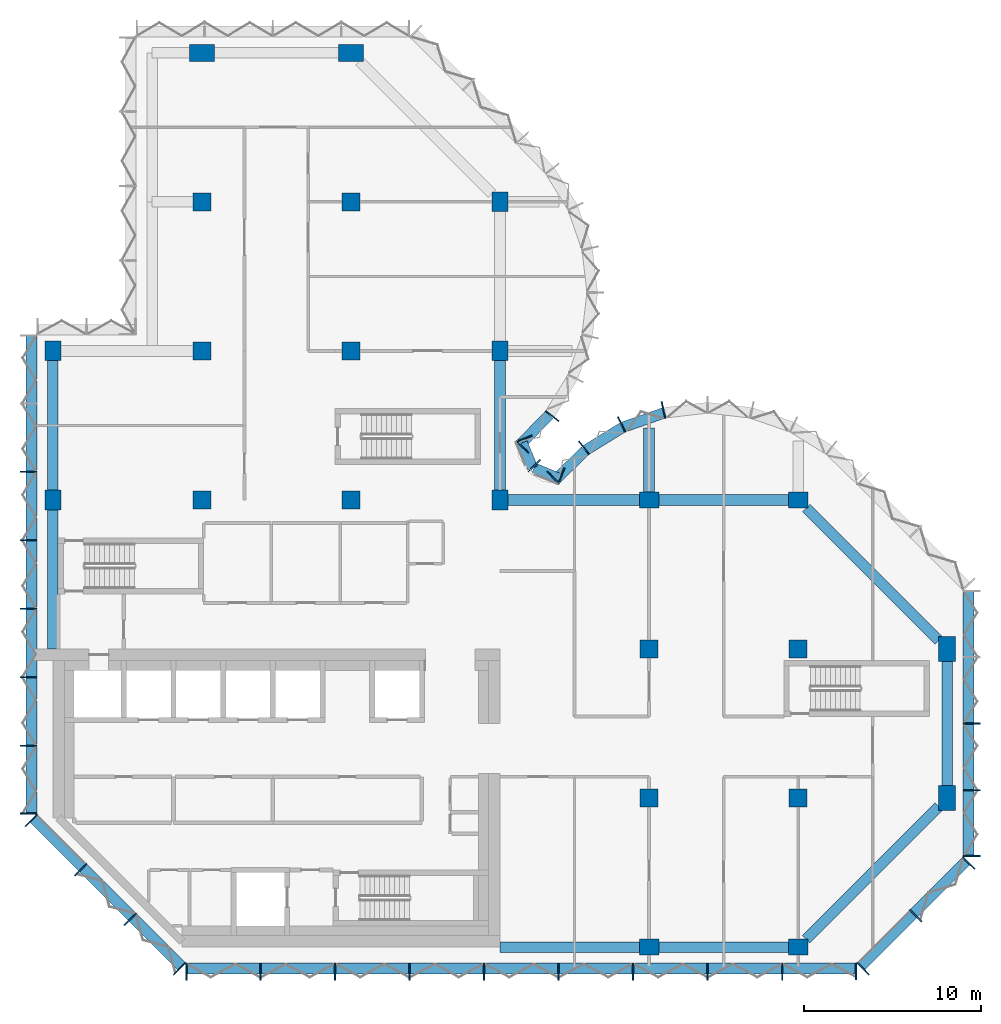
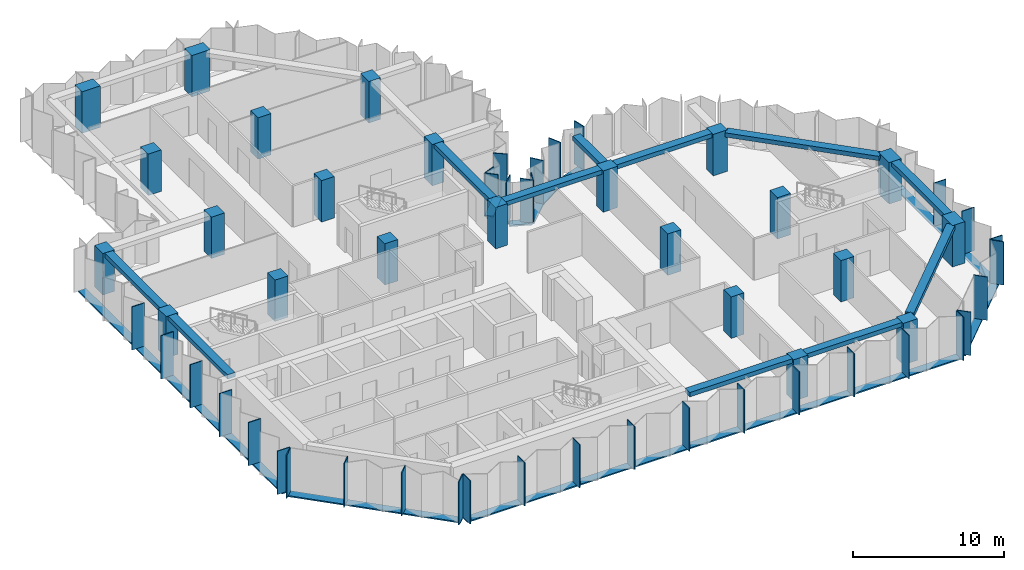
# One storey, part 1 of 10: 46 members, 23 columns, 11 beams, 8 elements without a shape of their own.
"""IFC4 building model written with IfcOpenShell, lengths in metres."""

from ifc_helpers import new_model, si_unit, direction, frame, origin, origin_2d, place, context, subcontext, project, spatial, rectangle, extrude, material, material_profile, profile_set, type_object, element, aggregate, save


model = new_model("IFC4")

# Units and contexts
model_context = context("Model", 3, precision=1e-05, world=origin(), true_north=direction((0.0, 1.0)))
body_context = subcontext(model_context, "Body", "Model", "MODEL_VIEW")
ifc_project = project(units=[si_unit("LENGTHUNIT", "METRE"), si_unit("AREAUNIT", "SQUARE_METRE"), si_unit("VOLUMEUNIT", "CUBIC_METRE"), si_unit("PLANEANGLEUNIT", "RADIAN"), si_unit("MASSUNIT", "GRAM", prefix="KILO")], contexts=[model_context])

# Site, building, storey
site_placement = place(None, origin())
site = spatial("IfcSite", under=ifc_project, at=site_placement, CompositionType="ELEMENT")
building_placement = place(site_placement, origin())
building = spatial("IfcBuilding", under=site, at=building_placement, Name="Brevane Broadcast Tower", CompositionType="ELEMENT")
storey_placement = place(building_placement, frame((0.0, 0.0, 195.60009765625)))
storey = spatial("IfcBuildingStorey", under=building, at=storey_placement, Name="L49", CompositionType="ELEMENT", Elevation=195.60009765625)

# Columns
ifc_material_1 = material(Name="Concrete C60/75", Category="concrete")
ifc_material_profile_1 = material_profile(ifc_material_1, rectangle(XDim=0.89990234375, YDim=1.10009765625, at=origin_2d()), Name="RC 900x1100")
ifc_profile_set_1 = profile_set([ifc_material_profile_1], Name="Concrete C60/75")
column_type_1 = type_object("IfcColumnType", Name="RC COLUMN EDGE 900x1100 C60/75", PredefinedType="COLUMN", material=ifc_profile_set_1)
for number, where, z_axis, x_axis, name in (
    (1, (0.0, 25.199951171875, 0.0), (0.0, 0.0, 1.0), (1.0, 0.0, 0.0), "CE11 1/D"),
    (2, (0.0, 33.60009765625, 0.0), (0.0, 0.0, 1.0), (1.0, 0.0, 0.0), "CE11 1/E"),
    (3, (25.199951171875, 25.199951171875, 0.0), (0.0, 0.0, 1.0), (1.0, 0.0, 0.0), "CE11 4/D"),
    (4, (25.199951171875, 33.60009765625, 0.0), (0.0, 0.0, 1.0), (1.0, 0.0, 0.0), "CE11 4/E"),
    (5, (25.199951171875, 42.0, 0.0), (0.0, 0.0, 1.0), (1.0, 0.0, 0.0), "CE11 4/F"),
    (6, (33.60009765625, 0.0, 0.0), (0.0, 0.0, 1.0), (0.0, 1.0, 0.0), "CE11 5/A"),
    (7, (33.60009765625, 25.199951171875, 0.0), (0.0, 0.0, 1.0), (0.0, 1.0, 0.0), "CE11 5/D"),
    (8, (42.0, 0.0, 0.0), (0.0, 0.0, 1.0), (0.0, 1.0, 0.0), "CE11 6/A"),
    (9, (42.0, 25.199951171875, 0.0), (0.0, 0.0, 1.0), (0.0, 1.0, 0.0), "CE11 6/D"),
):
    element("IfcColumn", number, at=place(storey_placement, frame(where, z_axis=z_axis, x_axis=x_axis)), inside=storey, type_object=column_type_1, Name=name, PredefinedType="COLUMN", context=body_context, shape_type="SweptSolid", body=[
        extrude(rectangle(XDim=0.89990234375, YDim=1.10009765625, at=origin_2d()), origin(), (0.0, 0.0, 1.0), 3.349853515625),
    ])
ifc_material_profile_2 = material_profile(ifc_material_1, rectangle(XDim=1.0, YDim=1.0, at=origin_2d()), Name="RC 1000x1000")
ifc_profile_set_2 = profile_set([ifc_material_profile_2], Name="Concrete C60/75")
column_type_2 = type_object("IfcColumnType", Name="RC COLUMN INTERIOR 1000x1000 C60/75", PredefinedType="COLUMN", material=ifc_profile_set_2)
for number, where, z_axis, x_axis, name in (
    (10, (8.39990234375, 25.199951171875, 0.0), (0.0, 0.0, 1.0), (1.0, 0.0, 0.0), "CI12 2/D"),
    (11, (8.39990234375, 33.60009765625, 0.0), (0.0, 0.0, 1.0), (1.0, 0.0, 0.0), "CI12 2/E"),
    (12, (8.39990234375, 42.0, 0.0), (0.0, 0.0, 1.0), (1.0, 0.0, 0.0), "CI12 2/F"),
    (13, (16.800048828125, 25.199951171875, 0.0), (0.0, 0.0, 1.0), (1.0, 0.0, 0.0), "CI12 3/D"),
    (14, (16.800048828125, 33.60009765625, 0.0), (0.0, 0.0, 1.0), (1.0, 0.0, 0.0), "CI12 3/E"),
    (15, (16.800048828125, 42.0, 0.0), (0.0, 0.0, 1.0), (1.0, 0.0, 0.0), "CI12 3/F"),
    (16, (33.60009765625, 8.39990234375, 0.0), (0.0, 0.0, 1.0), (1.0, 0.0, 0.0), "CI12 5/B"),
    (17, (33.60009765625, 16.800048828125, 0.0), (0.0, 0.0, 1.0), (1.0, 0.0, 0.0), "CI12 5/C"),
    (18, (42.0, 8.39990234375, 0.0), (0.0, 0.0, 1.0), (1.0, 0.0, 0.0), "CI12 6/B"),
    (19, (42.0, 16.800048828125, 0.0), (0.0, 0.0, 1.0), (1.0, 0.0, 0.0), "CI12 6/C"),
):
    element("IfcColumn", number, at=place(storey_placement, frame(where, z_axis=z_axis, x_axis=x_axis)), inside=storey, type_object=column_type_2, Name=name, PredefinedType="COLUMN", context=body_context, shape_type="SweptSolid", body=[
        extrude(rectangle(XDim=1.0, YDim=1.0, at=origin_2d()), origin(), (0.0, 0.0, 1.0), 3.349853515625),
    ])
ifc_material_profile_3 = material_profile(ifc_material_1, rectangle(XDim=0.949951171875, YDim=1.39990234375, at=origin_2d()), Name="RC 950x1400")
ifc_profile_set_3 = profile_set([ifc_material_profile_3], Name="Concrete C60/75")
column_type_3 = type_object("IfcColumnType", Name="RC COLUMN WING-END 950x1400 C60/75", PredefinedType="COLUMN", material=ifc_profile_set_3)
for number, where, z_axis, x_axis, name in (
    (20, (8.39990234375, 50.39990234375, 0.0), (0.0, 0.0, 1.0), (0.0, 1.0, 0.0), "CW13 2/G"),
    (21, (16.800048828125, 50.39990234375, 0.0), (0.0, 0.0, 1.0), (0.0, 1.0, 0.0), "CW13 3/G"),
    (22, (50.39990234375, 8.39990234375, 0.0), (0.0, 0.0, 1.0), (1.0, 0.0, 0.0), "CW13 7/B"),
    (23, (50.39990234375, 16.800048828125, 0.0), (0.0, 0.0, 1.0), (1.0, 0.0, 0.0), "CW13 7/C"),
):
    element("IfcColumn", number, at=place(storey_placement, frame(where, z_axis=z_axis, x_axis=x_axis)), inside=storey, type_object=column_type_3, Name=name, PredefinedType="COLUMN", context=body_context, shape_type="SweptSolid", body=[
        extrude(rectangle(XDim=0.949951171875, YDim=1.39990234375, at=origin_2d()), origin(), (0.0, 0.0, 1.0), 3.349853515625),
    ])

# Curtain wall, members
ifc_material_2 = material(Name="Aluminium 6063-T6 bronze anodised", Category="aluminium")
curtain_wall_type = type_object("IfcCurtainWallType", Name="CW-1 curtain wall", PredefinedType="NOTDEFINED", material=ifc_material_2)
curtain_wall_1_placement = place(storey_placement, origin())
curtain_wall_1 = element("IfcCurtainWall", 24, at=curtain_wall_1_placement, inside=storey, type_object=curtain_wall_type, Name="CW-1 typical tilted unit L49 south face", PredefinedType="NOTDEFINED")
ifc_material_profile_4 = material_profile(ifc_material_2, rectangle(XDim=0.949951171875, YDim=0.070068359375, at=origin_2d()), Name="RECT 70x950")
ifc_profile_set_4 = profile_set([ifc_material_profile_4], Name="Aluminium 6063-T6 bronze anodised")
member_type_1 = type_object("IfcMemberType", Name="CW-1 mullion 70x950", PredefinedType="MULLION", material=ifc_profile_set_4)
member_1_placement = place(storey_placement, frame((7.534912109375, -1.375, -0.150146484375), z_axis=(0.0, 0.0, 1.0), x_axis=(0.0, 1.0, 0.0)))
member_1 = element("IfcMember", 25, at=member_1_placement, type_object=member_type_1, Name="CW-1 mullion", PredefinedType="MULLION", context=body_context, shape_type="SweptSolid", body=[
    extrude(rectangle(XDim=0.949951171875, YDim=0.070068359375, at=origin_2d()), origin(), (0.0, 0.0, 1.0), 3.5),
])
member_2_placement = place(storey_placement, frame((11.699951171875, -1.375, -0.150146484375), z_axis=(0.0, 0.0, 1.0), x_axis=(0.0, 1.0, 0.0)))
member_2 = element("IfcMember", 26, at=member_2_placement, type_object=member_type_1, Name="CW-1 mullion", PredefinedType="MULLION", context=body_context, shape_type="SweptSolid", body=[
    extrude(rectangle(XDim=0.949951171875, YDim=0.070068359375, at=origin_2d()), origin(), (0.0, 0.0, 1.0), 3.5),
])
member_3_placement = place(storey_placement, frame((15.89990234375, -1.375, -0.150146484375), z_axis=(0.0, 0.0, 1.0), x_axis=(0.0, 1.0, 0.0)))
member_3 = element("IfcMember", 27, at=member_3_placement, type_object=member_type_1, Name="CW-1 mullion", PredefinedType="MULLION", context=body_context, shape_type="SweptSolid", body=[
    extrude(rectangle(XDim=0.949951171875, YDim=0.070068359375, at=origin_2d()), origin(), (0.0, 0.0, 1.0), 3.5),
])
member_4_placement = place(storey_placement, frame((20.10009765625, -1.375, -0.150146484375), z_axis=(0.0, 0.0, 1.0), x_axis=(0.0, 1.0, 0.0)))
member_4 = element("IfcMember", 28, at=member_4_placement, type_object=member_type_1, Name="CW-1 mullion", PredefinedType="MULLION", context=body_context, shape_type="SweptSolid", body=[
    extrude(rectangle(XDim=0.949951171875, YDim=0.070068359375, at=origin_2d()), origin(), (0.0, 0.0, 1.0), 3.5),
])
member_5_placement = place(storey_placement, frame((24.300048828125, -1.375, -0.150146484375), z_axis=(0.0, 0.0, 1.0), x_axis=(0.0, 1.0, 0.0)))
member_5 = element("IfcMember", 29, at=member_5_placement, type_object=member_type_1, Name="CW-1 mullion", PredefinedType="MULLION", context=body_context, shape_type="SweptSolid", body=[
    extrude(rectangle(XDim=0.949951171875, YDim=0.070068359375, at=origin_2d()), origin(), (0.0, 0.0, 1.0), 3.5),
])
member_6_placement = place(storey_placement, frame((28.5, -1.375, -0.150146484375), z_axis=(0.0, 0.0, 1.0), x_axis=(0.0, 1.0, 0.0)))
member_6 = element("IfcMember", 30, at=member_6_placement, type_object=member_type_1, Name="CW-1 mullion", PredefinedType="MULLION", context=body_context, shape_type="SweptSolid", body=[
    extrude(rectangle(XDim=0.949951171875, YDim=0.070068359375, at=origin_2d()), origin(), (0.0, 0.0, 1.0), 3.5),
])
member_7_placement = place(storey_placement, frame((32.699951171875, -1.375, -0.150146484375), z_axis=(0.0, 0.0, 1.0), x_axis=(0.0, 1.0, 0.0)))
member_7 = element("IfcMember", 31, at=member_7_placement, type_object=member_type_1, Name="CW-1 mullion", PredefinedType="MULLION", context=body_context, shape_type="SweptSolid", body=[
    extrude(rectangle(XDim=0.949951171875, YDim=0.070068359375, at=origin_2d()), origin(), (0.0, 0.0, 1.0), 3.5),
])
member_8_placement = place(storey_placement, frame((36.89990234375, -1.375, -0.150146484375), z_axis=(0.0, 0.0, 1.0), x_axis=(0.0, 1.0, 0.0)))
member_8 = element("IfcMember", 32, at=member_8_placement, type_object=member_type_1, Name="CW-1 mullion", PredefinedType="MULLION", context=body_context, shape_type="SweptSolid", body=[
    extrude(rectangle(XDim=0.949951171875, YDim=0.070068359375, at=origin_2d()), origin(), (0.0, 0.0, 1.0), 3.5),
])
member_9_placement = place(storey_placement, frame((41.10009765625, -1.375, -0.150146484375), z_axis=(0.0, 0.0, 1.0), x_axis=(0.0, 1.0, 0.0)))
member_9 = element("IfcMember", 33, at=member_9_placement, type_object=member_type_1, Name="CW-1 mullion", PredefinedType="MULLION", context=body_context, shape_type="SweptSolid", body=[
    extrude(rectangle(XDim=0.949951171875, YDim=0.070068359375, at=origin_2d()), origin(), (0.0, 0.0, 1.0), 3.5),
])
member_10_placement = place(storey_placement, frame((45.264892578125, -1.375, -0.150146484375), z_axis=(0.0, 0.0, 1.0), x_axis=(0.0, 1.0, 0.0)))
member_10 = element("IfcMember", 34, at=member_10_placement, type_object=member_type_1, Name="CW-1 mullion", PredefinedType="MULLION", context=body_context, shape_type="SweptSolid", body=[
    extrude(rectangle(XDim=0.949951171875, YDim=0.070068359375, at=origin_2d()), origin(), (0.0, 0.0, 1.0), 3.5),
])

curtain_wall_2_placement = place(storey_placement, origin())
curtain_wall_2 = element("IfcCurtainWall", 35, at=curtain_wall_2_placement, inside=storey, type_object=curtain_wall_type, Name="CW-1 typical tilted unit L49 south-east chamfer", PredefinedType="NOTDEFINED")
member_11_placement = place(storey_placement, frame((45.66064453125, -1.211181640625, -0.150146484375), z_axis=(0.0, 0.0, 1.0), x_axis=(-0.707106781187, 0.707106781187, 0.0)))
member_11 = element("IfcMember", 36, at=member_11_placement, type_object=member_type_1, Name="CW-1 mullion", PredefinedType="MULLION", context=body_context, shape_type="SweptSolid", body=[
    extrude(rectangle(XDim=0.949951171875, YDim=0.070068359375, at=origin_2d()), origin(), (0.0, 0.0, 1.0), 3.5),
])
member_12_placement = place(storey_placement, frame((48.635986328125, 1.76416015625, -0.150146484375), z_axis=(0.0, 0.0, 1.0), x_axis=(-0.707106781187, 0.707106781187, 0.0)))
member_12 = element("IfcMember", 37, at=member_12_placement, type_object=member_type_1, Name="CW-1 mullion", PredefinedType="MULLION", context=body_context, shape_type="SweptSolid", body=[
    extrude(rectangle(XDim=0.949951171875, YDim=0.070068359375, at=origin_2d()), origin(), (0.0, 0.0, 1.0), 3.5),
])
member_13_placement = place(storey_placement, frame((51.611083984375, 4.7392578125, -0.150146484375), z_axis=(0.0, 0.0, 1.0), x_axis=(-0.707106781187, 0.707106781187, 0.0)))
member_13 = element("IfcMember", 38, at=member_13_placement, type_object=member_type_1, Name="CW-1 mullion", PredefinedType="MULLION", context=body_context, shape_type="SweptSolid", body=[
    extrude(rectangle(XDim=0.949951171875, YDim=0.070068359375, at=origin_2d()), origin(), (0.0, 0.0, 1.0), 3.5),
])

curtain_wall_3_placement = place(storey_placement, origin())
curtain_wall_3 = element("IfcCurtainWall", 39, at=curtain_wall_3_placement, inside=storey, type_object=curtain_wall_type, Name="CW-1 typical tilted unit L49 east end", PredefinedType="NOTDEFINED")
member_14_placement = place(storey_placement, frame((51.77490234375, 5.135009765625, -0.150146484375), z_axis=(0.0, 0.0, 1.0), x_axis=(-1.0, 0.0, 0.0)))
member_14 = element("IfcMember", 40, at=member_14_placement, type_object=member_type_1, Name="CW-1 mullion", PredefinedType="MULLION", context=body_context, shape_type="SweptSolid", body=[
    extrude(rectangle(XDim=0.949951171875, YDim=0.070068359375, at=origin_2d()), origin(), (0.0, 0.0, 1.0), 3.5),
])
member_15_placement = place(storey_placement, frame((51.77490234375, 8.85009765625, -0.150146484375), z_axis=(0.0, 0.0, 1.0), x_axis=(-1.0, 0.0, 0.0)))
member_15 = element("IfcMember", 41, at=member_15_placement, type_object=member_type_1, Name="CW-1 mullion", PredefinedType="MULLION", context=body_context, shape_type="SweptSolid", body=[
    extrude(rectangle(XDim=0.949951171875, YDim=0.070068359375, at=origin_2d()), origin(), (0.0, 0.0, 1.0), 3.5),
])
member_16_placement = place(storey_placement, frame((51.77490234375, 12.60009765625, -0.150146484375), z_axis=(0.0, 0.0, 1.0), x_axis=(-1.0, 0.0, 0.0)))
member_16 = element("IfcMember", 42, at=member_16_placement, type_object=member_type_1, Name="CW-1 mullion", PredefinedType="MULLION", context=body_context, shape_type="SweptSolid", body=[
    extrude(rectangle(XDim=0.949951171875, YDim=0.070068359375, at=origin_2d()), origin(), (0.0, 0.0, 1.0), 3.5),
])

curtain_wall_4_placement = place(storey_placement, origin())
curtain_wall_4 = element("IfcCurtainWall", 43, at=curtain_wall_4_placement, inside=storey, type_object=curtain_wall_type, Name="CW-1 typical tilted unit L49 east bow", PredefinedType="NOTDEFINED")
member_17_placement = place(storey_placement, frame((34.411865234375, 30.28076171875, -0.150146484375), z_axis=(0.0, 0.0, 1.0), x_axis=(0.224806535479, -0.974403418306, 0.0)))
member_17 = element("IfcMember", 44, at=member_17_placement, type_object=member_type_1, Name="CW-1 mullion", PredefinedType="MULLION", context=body_context, shape_type="SweptSolid", body=[
    extrude(rectangle(XDim=0.949951171875, YDim=0.070068359375, at=origin_2d()), origin(), (0.0, 0.0, 1.0), 3.5),
])
member_18_placement = place(storey_placement, frame((32.05322265625, 29.4580078125, -0.150146484375), z_axis=(0.0, 0.0, 1.0), x_axis=(0.429933580394, -0.902860518823, 0.0)))
member_18 = element("IfcMember", 45, at=member_18_placement, type_object=member_type_1, Name="CW-1 mullion", PredefinedType="MULLION", context=body_context, shape_type="SweptSolid", body=[
    extrude(rectangle(XDim=0.949951171875, YDim=0.070068359375, at=origin_2d()), origin(), (0.0, 0.0, 1.0), 3.5),
])
member_19_placement = place(storey_placement, frame((29.927978515625, 28.1455078125, -0.150146484375), z_axis=(0.0, 0.0, 1.0), x_axis=(0.614769698862, -0.788706673841, 0.0)))
member_19 = element("IfcMember", 46, at=member_19_placement, type_object=member_type_1, Name="CW-1 mullion", PredefinedType="MULLION", context=body_context, shape_type="SweptSolid", body=[
    extrude(rectangle(XDim=0.949951171875, YDim=0.070068359375, at=origin_2d()), origin(), (0.0, 0.0, 1.0), 3.5),
])
member_20_placement = place(storey_placement, frame((28.194091796875, 26.465087890625, -0.150146484375), z_axis=(0.0, 0.0, 1.0), x_axis=(0.696812089895, -0.717253728729, 0.0)))
member_20 = element("IfcMember", 47, at=member_20_placement, type_object=member_type_1, Name="CW-1 mullion", PredefinedType="MULLION", context=body_context, shape_type="SweptSolid", body=[
    extrude(rectangle(XDim=0.949951171875, YDim=0.070068359375, at=origin_2d()), origin(), (0.0, 0.0, 1.0), 3.5),
])

curtain_wall_5_placement = place(storey_placement, origin())
curtain_wall_5 = element("IfcCurtainWall", 48, at=curtain_wall_5_placement, inside=storey, type_object=curtain_wall_type, Name="CW-1 typical tilted unit L49 inner corner", PredefinedType="NOTDEFINED")
member_21_placement = place(storey_placement, frame((28.6494140625, 26.55224609375, -0.150146484375), z_axis=(0.0, 0.0, 1.0), x_axis=(-0.382683432365, -0.923879532511, 0.0)))
member_21 = element("IfcMember", 49, at=member_21_placement, type_object=member_type_1, Name="CW-1 mullion", PredefinedType="MULLION", context=body_context, shape_type="SweptSolid", body=[
    extrude(rectangle(XDim=0.949951171875, YDim=0.070068359375, at=origin_2d()), origin(), (0.0, 0.0, 1.0), 3.5),
])
member_22_placement = place(storey_placement, frame((27.138916015625, 27.138916015625, -0.150146484375), z_axis=(0.0, 0.0, 1.0), x_axis=(-0.707106781187, -0.707106781187, 0.0)))
member_22 = element("IfcMember", 50, at=member_22_placement, type_object=member_type_1, Name="CW-1 mullion", PredefinedType="MULLION", context=body_context, shape_type="SweptSolid", body=[
    extrude(rectangle(XDim=0.949951171875, YDim=0.070068359375, at=origin_2d()), origin(), (0.0, 0.0, 1.0), 3.5),
])
member_23_placement = place(storey_placement, frame((26.55224609375, 28.6494140625, -0.150146484375), z_axis=(0.0, 0.0, 1.0), x_axis=(-0.923879532511, -0.382683432365, 0.0)))
member_23 = element("IfcMember", 51, at=member_23_placement, type_object=member_type_1, Name="CW-1 mullion", PredefinedType="MULLION", context=body_context, shape_type="SweptSolid", body=[
    extrude(rectangle(XDim=0.949951171875, YDim=0.070068359375, at=origin_2d()), origin(), (0.0, 0.0, 1.0), 3.5),
])

curtain_wall_6_placement = place(storey_placement, origin())
curtain_wall_6 = element("IfcCurtainWall", 52, at=curtain_wall_6_placement, inside=storey, type_object=curtain_wall_type, Name="CW-1 typical tilted unit L49 north bow", PredefinedType="NOTDEFINED")
member_24_placement = place(storey_placement, frame((26.465087890625, 28.194091796875, -0.150146484375), z_axis=(0.0, 0.0, 1.0), x_axis=(-0.717253728729, 0.696812089895, 0.0)))
member_24 = element("IfcMember", 53, at=member_24_placement, type_object=member_type_1, Name="CW-1 mullion", PredefinedType="MULLION", context=body_context, shape_type="SweptSolid", body=[
    extrude(rectangle(XDim=0.949951171875, YDim=0.070068359375, at=origin_2d()), origin(), (0.0, 0.0, 1.0), 3.5),
])
member_25_placement = place(storey_placement, frame((28.1455078125, 29.927978515625, -0.150146484375), z_axis=(0.0, 0.0, 1.0), x_axis=(-0.788706673841, 0.614769698862, 0.0)))
member_25 = element("IfcMember", 54, at=member_25_placement, type_object=member_type_1, Name="CW-1 mullion", PredefinedType="MULLION", context=body_context, shape_type="SweptSolid", body=[
    extrude(rectangle(XDim=0.949951171875, YDim=0.070068359375, at=origin_2d()), origin(), (0.0, 0.0, 1.0), 3.5),
])

curtain_wall_7_placement = place(storey_placement, origin())
curtain_wall_7 = element("IfcCurtainWall", 55, at=curtain_wall_7_placement, inside=storey, type_object=curtain_wall_type, Name="CW-1 typical tilted unit L49 west face", PredefinedType="NOTDEFINED")
member_26_placement = place(storey_placement, frame((-1.375, 26.78564453125, -0.150146484375), z_axis=(0.0, 0.0, 1.0), x_axis=(1.0, 0.0, 0.0)))
member_26 = element("IfcMember", 56, at=member_26_placement, type_object=member_type_1, Name="CW-1 mullion", PredefinedType="MULLION", context=body_context, shape_type="SweptSolid", body=[
    extrude(rectangle(XDim=0.949951171875, YDim=0.070068359375, at=origin_2d()), origin(), (0.0, 0.0, 1.0), 3.5),
])
member_27_placement = place(storey_placement, frame((-1.375, 22.928466796875, -0.150146484375), z_axis=(0.0, 0.0, 1.0), x_axis=(1.0, 0.0, 0.0)))
member_27 = element("IfcMember", 57, at=member_27_placement, type_object=member_type_1, Name="CW-1 mullion", PredefinedType="MULLION", context=body_context, shape_type="SweptSolid", body=[
    extrude(rectangle(XDim=0.949951171875, YDim=0.070068359375, at=origin_2d()), origin(), (0.0, 0.0, 1.0), 3.5),
])
member_28_placement = place(storey_placement, frame((-1.375, 19.071533203125, -0.150146484375), z_axis=(0.0, 0.0, 1.0), x_axis=(1.0, 0.0, 0.0)))
member_28 = element("IfcMember", 58, at=member_28_placement, type_object=member_type_1, Name="CW-1 mullion", PredefinedType="MULLION", context=body_context, shape_type="SweptSolid", body=[
    extrude(rectangle(XDim=0.949951171875, YDim=0.070068359375, at=origin_2d()), origin(), (0.0, 0.0, 1.0), 3.5),
])
member_29_placement = place(storey_placement, frame((-1.375, 15.21435546875, -0.150146484375), z_axis=(0.0, 0.0, 1.0), x_axis=(1.0, 0.0, 0.0)))
member_29 = element("IfcMember", 59, at=member_29_placement, type_object=member_type_1, Name="CW-1 mullion", PredefinedType="MULLION", context=body_context, shape_type="SweptSolid", body=[
    extrude(rectangle(XDim=0.949951171875, YDim=0.070068359375, at=origin_2d()), origin(), (0.0, 0.0, 1.0), 3.5),
])
member_30_placement = place(storey_placement, frame((-1.375, 11.357177734375, -0.150146484375), z_axis=(0.0, 0.0, 1.0), x_axis=(1.0, 0.0, 0.0)))
member_30 = element("IfcMember", 60, at=member_30_placement, type_object=member_type_1, Name="CW-1 mullion", PredefinedType="MULLION", context=body_context, shape_type="SweptSolid", body=[
    extrude(rectangle(XDim=0.949951171875, YDim=0.070068359375, at=origin_2d()), origin(), (0.0, 0.0, 1.0), 3.5),
])
member_31_placement = place(storey_placement, frame((-1.375, 7.534912109375, -0.150146484375), z_axis=(0.0, 0.0, 1.0), x_axis=(1.0, 0.0, 0.0)))
member_31 = element("IfcMember", 61, at=member_31_placement, type_object=member_type_1, Name="CW-1 mullion", PredefinedType="MULLION", context=body_context, shape_type="SweptSolid", body=[
    extrude(rectangle(XDim=0.949951171875, YDim=0.070068359375, at=origin_2d()), origin(), (0.0, 0.0, 1.0), 3.5),
])

curtain_wall_8_placement = place(storey_placement, origin())
curtain_wall_8 = element("IfcCurtainWall", 62, at=curtain_wall_8_placement, inside=storey, type_object=curtain_wall_type, Name="CW-1 typical tilted unit L49 south-west chamfer", PredefinedType="NOTDEFINED")
member_32_placement = place(storey_placement, frame((-1.211181640625, 7.139404296875, -0.150146484375), z_axis=(0.0, 0.0, 1.0), x_axis=(0.707106781187, 0.707106781187, 0.0)))
member_32 = element("IfcMember", 63, at=member_32_placement, type_object=member_type_1, Name="CW-1 mullion", PredefinedType="MULLION", context=body_context, shape_type="SweptSolid", body=[
    extrude(rectangle(XDim=0.949951171875, YDim=0.070068359375, at=origin_2d()), origin(), (0.0, 0.0, 1.0), 3.5),
])
member_33_placement = place(storey_placement, frame((1.564208984375, 4.364013671875, -0.150146484375), z_axis=(0.0, 0.0, 1.0), x_axis=(0.707106781187, 0.707106781187, 0.0)))
member_33 = element("IfcMember", 64, at=member_33_placement, type_object=member_type_1, Name="CW-1 mullion", PredefinedType="MULLION", context=body_context, shape_type="SweptSolid", body=[
    extrude(rectangle(XDim=0.949951171875, YDim=0.070068359375, at=origin_2d()), origin(), (0.0, 0.0, 1.0), 3.5),
])
member_34_placement = place(storey_placement, frame((4.364013671875, 1.564208984375, -0.150146484375), z_axis=(0.0, 0.0, 1.0), x_axis=(0.707106781187, 0.707106781187, 0.0)))
member_34 = element("IfcMember", 65, at=member_34_placement, type_object=member_type_1, Name="CW-1 mullion", PredefinedType="MULLION", context=body_context, shape_type="SweptSolid", body=[
    extrude(rectangle(XDim=0.949951171875, YDim=0.070068359375, at=origin_2d()), origin(), (0.0, 0.0, 1.0), 3.5),
])
member_35_placement = place(storey_placement, frame((7.139404296875, -1.211181640625, -0.150146484375), z_axis=(0.0, 0.0, 1.0), x_axis=(0.707106781187, 0.707106781187, 0.0)))
member_35 = element("IfcMember", 66, at=member_35_placement, type_object=member_type_1, Name="CW-1 mullion", PredefinedType="MULLION", context=body_context, shape_type="SweptSolid", body=[
    extrude(rectangle(XDim=0.949951171875, YDim=0.070068359375, at=origin_2d()), origin(), (0.0, 0.0, 1.0), 3.5),
])

# Member
ifc_material_profile_5 = material_profile(ifc_material_2, rectangle(XDim=0.60009765625, YDim=0.10009765625, at=origin_2d()), Name="RECT 100x600")
ifc_profile_set_5 = profile_set([ifc_material_profile_5], Name="Aluminium 6063-T6 bronze anodised")
member_type_2 = type_object("IfcMemberType", Name="CW-1 transom 100x600", PredefinedType="USERDEFINED", material=ifc_profile_set_5)
member_36_placement = place(storey_placement, frame((7.5, -1.199951171875, -0.2001953125), z_axis=(1.0, 0.0, 0.0), x_axis=(0.0, 1.0, 0.0)))
member_36 = element("IfcMember", 67, at=member_36_placement, type_object=member_type_2, Name="CW-1 transom", ObjectType="TRANSOM", PredefinedType="USERDEFINED", context=body_context, shape_type="SweptSolid", body=[
    extrude(rectangle(XDim=0.60009765625, YDim=0.10009765625, at=origin_2d()), origin(), (0.0, 0.0, 1.0), 37.800048828125),
])

aggregate(curtain_wall_1, [member_1, member_2, member_3, member_4, member_5, member_6, member_7, member_8, member_9, member_10, member_36])

member_37_placement = place(storey_placement, frame((45.51220703125, -1.112060546875, -0.2001953125), z_axis=(0.707106781187, 0.707106781187, 0.0), x_axis=(-0.707106781187, 0.707106781187, 0.0)))
member_37 = element("IfcMember", 68, at=member_37_placement, type_object=member_type_2, Name="CW-1 transom", ObjectType="TRANSOM", PredefinedType="USERDEFINED", context=body_context, shape_type="SweptSolid", body=[
    extrude(rectangle(XDim=0.60009765625, YDim=0.10009765625, at=origin_2d()), origin(), (0.0, 0.0, 1.0), 8.4853515625),
])

aggregate(curtain_wall_2, [member_11, member_12, member_13, member_37])

member_38_placement = place(storey_placement, frame((51.60009765625, 5.10009765625, -0.2001953125), z_axis=(0.0, 1.0, 0.0), x_axis=(-1.0, 0.0, 0.0)))
member_38 = element("IfcMember", 69, at=member_38_placement, type_object=member_type_2, Name="CW-1 transom", ObjectType="TRANSOM", PredefinedType="USERDEFINED", context=body_context, shape_type="SweptSolid", body=[
    extrude(rectangle(XDim=0.60009765625, YDim=0.10009765625, at=origin_2d()), origin(), (0.0, 0.0, 1.0), 15.0),
])

aggregate(curtain_wall_3, [member_14, member_15, member_16, member_38])

member_39_placement = place(storey_placement, frame((34.425048828125, 30.10302734375, -0.2001953125), z_axis=(-0.944197969542, -0.329378497041, 0.0), x_axis=(0.329378497041, -0.944197969542, 0.0)))
member_39 = element("IfcMember", 70, at=member_39_placement, type_object=member_type_2, Name="CW-1 transom", ObjectType="TRANSOM", PredefinedType="USERDEFINED", context=body_context, shape_type="SweptSolid", body=[
    extrude(rectangle(XDim=0.60009765625, YDim=0.10009765625, at=origin_2d()), origin(), (0.0, 0.0, 1.0), 2.394775390625),
])

member_40_placement = place(storey_placement, frame((32.09521484375, 29.281494140625, -0.2001953125), z_axis=(-0.850838211365, -0.525427766759, 0.0), x_axis=(0.525427766759, -0.850838211365, 0.0)))
member_40 = element("IfcMember", 71, at=member_40_placement, type_object=member_type_2, Name="CW-1 transom", ObjectType="TRANSOM", PredefinedType="USERDEFINED", context=body_context, shape_type="SweptSolid", body=[
    extrude(rectangle(XDim=0.60009765625, YDim=0.10009765625, at=origin_2d()), origin(), (0.0, 0.0, 1.0), 2.394775390625),
])

member_41_placement = place(storey_placement, frame((29.99951171875, 27.974365234375, -0.2001953125), z_axis=(-0.71724215871, -0.696823999134, 0.0), x_axis=(0.696823999134, -0.71724215871, 0.0)))
member_41 = element("IfcMember", 72, at=member_41_placement, type_object=member_type_2, Name="CW-1 transom", ObjectType="TRANSOM", PredefinedType="USERDEFINED", context=body_context, shape_type="SweptSolid", body=[
    extrude(rectangle(XDim=0.60009765625, YDim=0.10009765625, at=origin_2d()), origin(), (0.0, 0.0, 1.0), 2.247802734375),
])

aggregate(curtain_wall_4, [member_17, member_18, member_19, member_20, member_39, member_40, member_41])

member_42_placement = place(storey_placement, frame((28.528076171875, 26.40673828125, -0.2001953125), z_axis=(-0.923883243627, 0.382674472816, 0.0), x_axis=(-0.382674472816, -0.923883243627, 0.0)))
member_42 = element("IfcMember", 73, at=member_42_placement, type_object=member_type_2, Name="CW-1 transom", ObjectType="TRANSOM", PredefinedType="USERDEFINED", context=body_context, shape_type="SweptSolid", body=[
    extrude(rectangle(XDim=0.60009765625, YDim=0.10009765625, at=origin_2d()), origin(), (0.0, 0.0, 1.0), 1.536865234375),
])

member_43_placement = place(storey_placement, frame((27.039794921875, 27.0, -0.2001953125), z_axis=(-0.382674472816, 0.923883243627, 0.0), x_axis=(-0.923883243627, -0.382674472816, 0.0)))
member_43 = element("IfcMember", 74, at=member_43_placement, type_object=member_type_2, Name="CW-1 transom", ObjectType="TRANSOM", PredefinedType="USERDEFINED", context=body_context, shape_type="SweptSolid", body=[
    extrude(rectangle(XDim=0.60009765625, YDim=0.10009765625, at=origin_2d()), origin(), (0.0, 0.0, 1.0), 1.536865234375),
])

aggregate(curtain_wall_5, [member_21, member_22, member_23, member_42, member_43])

member_44_placement = place(storey_placement, frame((26.407958984375, 28.38720703125, -0.2001953125), z_axis=(0.696823999134, 0.71724215871, 0.0), x_axis=(-0.71724215871, 0.696823999134, 0.0)))
member_44 = element("IfcMember", 75, at=member_44_placement, type_object=member_type_2, Name="CW-1 transom", ObjectType="TRANSOM", PredefinedType="USERDEFINED", context=body_context, shape_type="SweptSolid", body=[
    extrude(rectangle(XDim=0.60009765625, YDim=0.10009765625, at=origin_2d()), origin(), (0.0, 0.0, 1.0), 2.247802734375),
])

aggregate(curtain_wall_6, [member_24, member_25, member_44])

member_45_placement = place(storey_placement, frame((-1.199951171875, 34.5, -0.2001953125), z_axis=(0.0, -1.0, 0.0), x_axis=(1.0, 0.0, 0.0)))
member_45 = element("IfcMember", 76, at=member_45_placement, type_object=member_type_2, Name="CW-1 transom", ObjectType="TRANSOM", PredefinedType="USERDEFINED", context=body_context, shape_type="SweptSolid", body=[
    extrude(rectangle(XDim=0.60009765625, YDim=0.10009765625, at=origin_2d()), origin(), (0.0, 0.0, 1.0), 27.0),
])

aggregate(curtain_wall_7, [member_26, member_27, member_28, member_29, member_30, member_31, member_45])

member_46_placement = place(storey_placement, frame((-1.112060546875, 7.287841796875, -0.2001953125), z_axis=(0.707106781187, -0.707106781187, 0.0), x_axis=(0.707106781187, 0.707106781187, 0.0)))
member_46 = element("IfcMember", 77, at=member_46_placement, type_object=member_type_2, Name="CW-1 transom", ObjectType="TRANSOM", PredefinedType="USERDEFINED", context=body_context, shape_type="SweptSolid", body=[
    extrude(rectangle(XDim=0.60009765625, YDim=0.10009765625, at=origin_2d()), origin(), (0.0, 0.0, 1.0), 11.879150390625),
])

aggregate(curtain_wall_8, [member_32, member_33, member_34, member_35, member_46])

# Beams
ifc_material_3 = material(Name="Concrete C40/50", Category="concrete")
ifc_material_profile_6 = material_profile(ifc_material_3, rectangle(XDim=0.60009765625, YDim=0.35009765625, at=origin_2d()), Name="RC 600x350")
ifc_profile_set_6 = profile_set([ifc_material_profile_6], Name="Concrete C40/50")
beam_type_1 = type_object("IfcBeamType", Name="RC BRACKET BEAM 600x350 C40/50", PredefinedType="BEAM", material=ifc_profile_set_6)
beam_1_placement = place(storey_placement, frame((33.60009765625, 25.64990234375, 3.1748046875), z_axis=(0.0, 1.0, 0.0), x_axis=(-1.0, 0.0, 0.0)))
element("IfcBeam", 78, at=beam_1_placement, inside=storey, type_object=beam_type_1, Name="EB2 L49-3", PredefinedType="BEAM", context=body_context, shape_type="SweptSolid", body=[
    extrude(rectangle(XDim=0.60009765625, YDim=0.35009765625, at=origin_2d()), origin(), (0.0, 0.0, 1.0), 3.612060546875),
])
ifc_material_profile_7 = material_profile(ifc_material_3, rectangle(XDim=0.60009765625, YDim=0.35009765625, at=origin_2d()), Name="RC 600x350")
ifc_profile_set_7 = profile_set([ifc_material_profile_7], Name="Concrete C40/50")
beam_type_2 = type_object("IfcBeamType", Name="RC SPANDREL BEAM 600x350 C40/50", PredefinedType="SPANDREL", material=ifc_profile_set_7)
beam_2_placement = place(storey_placement, frame((25.199951171875, 0.0, 3.1748046875), z_axis=(1.0, 0.0, 0.0), x_axis=(0.0, 1.0, 0.0)))
element("IfcBeam", 79, at=beam_2_placement, inside=storey, type_object=beam_type_2, Name="EB1 L49-1", PredefinedType="SPANDREL", context=body_context, shape_type="SweptSolid", body=[
    extrude(rectangle(XDim=0.60009765625, YDim=0.35009765625, at=origin_2d()), origin(), (0.0, 0.0, 1.0), 7.85009765625),
])
beam_3_placement = place(storey_placement, frame((34.14990234375, 0.0, 3.1748046875), z_axis=(1.0, 0.0, 0.0), x_axis=(0.0, 1.0, 0.0)))
element("IfcBeam", 80, at=beam_3_placement, inside=storey, type_object=beam_type_2, Name="EB1 L49-2", PredefinedType="SPANDREL", context=body_context, shape_type="SweptSolid", body=[
    extrude(rectangle(XDim=0.60009765625, YDim=0.35009765625, at=origin_2d()), origin(), (0.0, 0.0, 1.0), 7.300048828125),
])
beam_4_placement = place(storey_placement, frame((42.449951171875, 0.449951171875, 3.1748046875), z_axis=(0.707106781187, 0.707106781187, 0.0), x_axis=(-0.707106781187, 0.707106781187, 0.0)))
element("IfcBeam", 81, at=beam_4_placement, inside=storey, type_object=beam_type_2, Name="EB1 L49-3", PredefinedType="SPANDREL", context=body_context, shape_type="SweptSolid", body=[
    extrude(rectangle(XDim=0.60009765625, YDim=0.35009765625, at=origin_2d()), origin(), (0.0, 0.0, 1.0), 10.5712890625),
])
beam_5_placement = place(storey_placement, frame((50.39990234375, 9.10009765625, 3.1748046875), z_axis=(0.0, 1.0, 0.0), x_axis=(-1.0, 0.0, 0.0)))
element("IfcBeam", 82, at=beam_5_placement, inside=storey, type_object=beam_type_2, Name="EB1 L49-4", PredefinedType="SPANDREL", context=body_context, shape_type="SweptSolid", body=[
    extrude(rectangle(XDim=0.60009765625, YDim=0.35009765625, at=origin_2d()), origin(), (0.0, 0.0, 1.0), 7.0),
])
beam_6_placement = place(storey_placement, frame((49.925048828125, 17.27490234375, 3.1748046875), z_axis=(-0.707106781187, 0.707106781187, 0.0), x_axis=(-0.707106781187, -0.707106781187, 0.0)))
element("IfcBeam", 83, at=beam_6_placement, inside=storey, type_object=beam_type_2, Name="EB1 L49-5", PredefinedType="SPANDREL", context=body_context, shape_type="SweptSolid", body=[
    extrude(rectangle(XDim=0.60009765625, YDim=0.35009765625, at=origin_2d()), origin(), (0.0, 0.0, 1.0), 10.5712890625),
])
beam_7_placement = place(storey_placement, frame((41.449951171875, 25.199951171875, 3.1748046875), z_axis=(-1.0, 0.0, 0.0), x_axis=(0.0, -1.0, 0.0)))
element("IfcBeam", 84, at=beam_7_placement, inside=storey, type_object=beam_type_2, Name="EB1 L49-6", PredefinedType="SPANDREL", context=body_context, shape_type="SweptSolid", body=[
    extrude(rectangle(XDim=0.60009765625, YDim=0.35009765625, at=origin_2d()), origin(), (0.0, 0.0, 1.0), 7.300048828125),
])
beam_8_placement = place(storey_placement, frame((33.050048828125, 25.199951171875, 3.1748046875), z_axis=(-1.0, 0.0, 0.0), x_axis=(0.0, -1.0, 0.0)))
element("IfcBeam", 85, at=beam_8_placement, inside=storey, type_object=beam_type_2, Name="EB1 L49-7", PredefinedType="SPANDREL", context=body_context, shape_type="SweptSolid", body=[
    extrude(rectangle(XDim=0.60009765625, YDim=0.35009765625, at=origin_2d()), origin(), (0.0, 0.0, 1.0), 7.400146484375),
])
for number, where, z_axis, x_axis, name in (
    (86, (25.199951171875, 25.75, 3.1748046875), (0.0, 1.0, 0.0), (-1.0, 0.0, 0.0), "EB1 L49-8"),
    (87, (0.0, 33.050048828125, 3.1748046875), (0.0, -1.0, 0.0), (1.0, 0.0, 0.0), "EB1 L49-12"),
):
    element("IfcBeam", number, at=place(storey_placement, frame(where, z_axis=z_axis, x_axis=x_axis)), inside=storey, type_object=beam_type_2, Name=name, PredefinedType="SPANDREL", context=body_context, shape_type="SweptSolid", body=[
        extrude(rectangle(XDim=0.60009765625, YDim=0.35009765625, at=origin_2d()), origin(), (0.0, 0.0, 1.0), 7.300048828125),
    ])
beam_9_placement = place(storey_placement, frame((0.0, 24.64990234375, 3.1748046875), z_axis=(0.0, -1.0, 0.0), x_axis=(1.0, 0.0, 0.0)))
element("IfcBeam", 88, at=beam_9_placement, inside=storey, type_object=beam_type_2, Name="EB1 L49-13", PredefinedType="SPANDREL", context=body_context, shape_type="SweptSolid", body=[
    extrude(rectangle(XDim=0.60009765625, YDim=0.35009765625, at=origin_2d()), origin(), (0.0, 0.0, 1.0), 7.849853515625),
])

save(model, "model.ifc")
